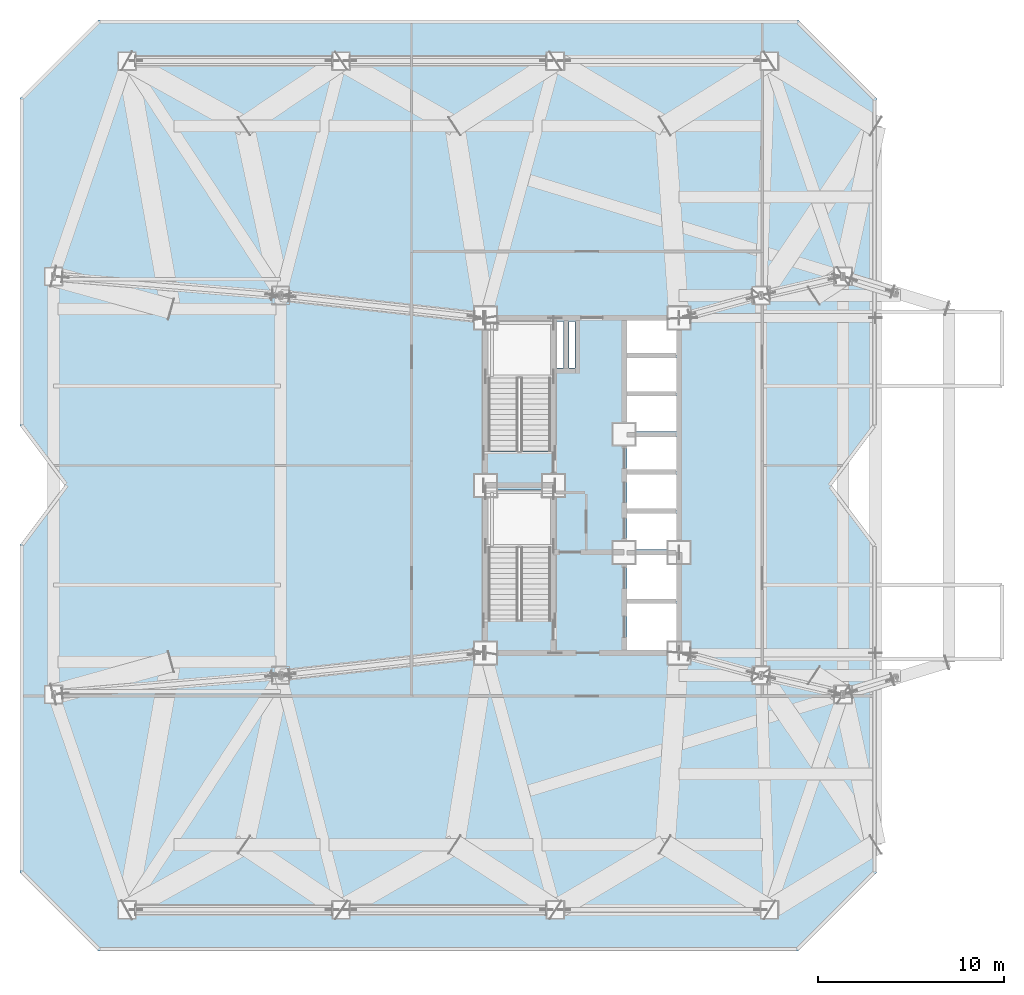
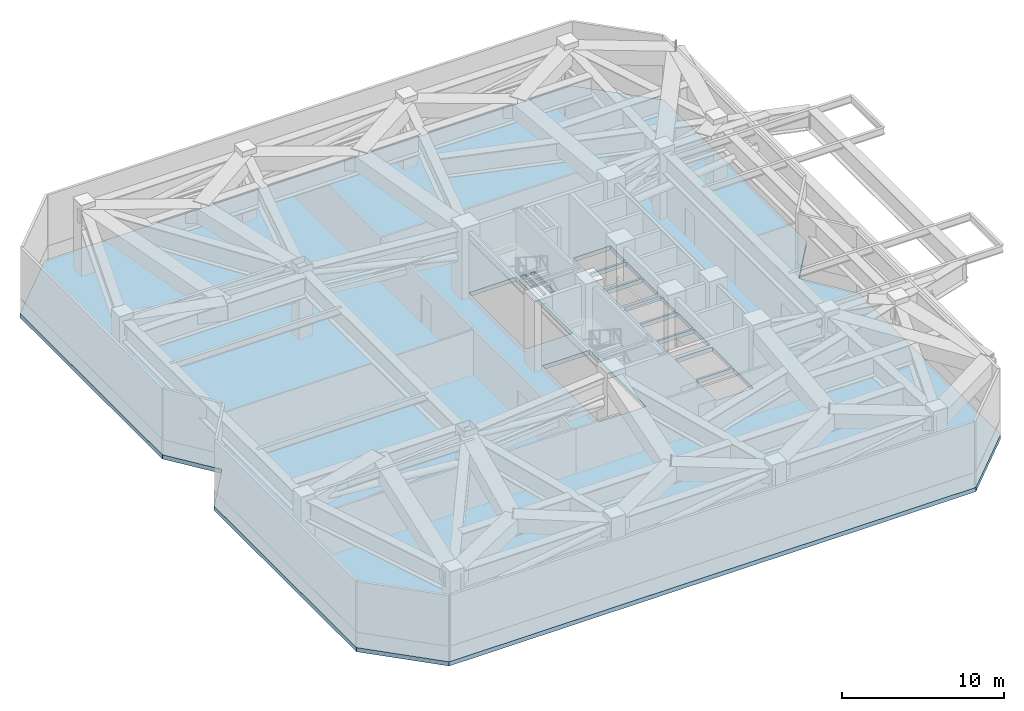
# One storey, part 7 of 18: 1 slab.
"""IFC4 building model written with IfcOpenShell, lengths in metres."""

from ifc_helpers import new_model, si_unit, direction, frame, origin, place, context, subcontext, project, spatial, polyline, outline, extrude, material, layer, layer_set, type_object, element, save


model = new_model("IFC4")

# Units and contexts
model_context = context("Model", 3, precision=1e-05, world=origin(), true_north=direction((0.0, 1.0)))
body_context = subcontext(model_context, "Body", "Model", "MODEL_VIEW")
ifc_project = project(units=[si_unit("LENGTHUNIT", "METRE"), si_unit("AREAUNIT", "SQUARE_METRE"), si_unit("VOLUMEUNIT", "CUBIC_METRE"), si_unit("PLANEANGLEUNIT", "RADIAN"), si_unit("MASSUNIT", "GRAM", prefix="KILO")], contexts=[model_context])

# Site, building, storey
site_placement = place(None, origin())
site = spatial("IfcSite", under=ifc_project, at=site_placement, CompositionType="ELEMENT")
building_placement = place(site_placement, origin())
building = spatial("IfcBuilding", under=site, at=building_placement, Name="Khamvora Tower", CompositionType="ELEMENT")
storey_placement = place(building_placement, frame((0.0, 0.0, 84.39990234375)))
storey = spatial("IfcBuildingStorey", under=building, at=storey_placement, Name="L21", CompositionType="ELEMENT", Elevation=84.39990234375)

# Slab
ifc_material = material(Name="Concrete C40/50", Category="concrete")
ifc_layer = layer(ifc_material, 0.320068359375)
ifc_layer_set = layer_set([ifc_layer], Name="Concrete C40/50")
slab_type = type_object("IfcSlabType", Name="SLB-TRN-320", PredefinedType="FLOOR", material=ifc_layer_set)
slab_placement = place(storey_placement, frame((0.0, 0.0, -0.31982421875)))
element("IfcSlab", 1, at=slab_placement, inside=storey, type_object=slab_type, Name="L21 structural floor slab", PredefinedType="FLOOR", context=body_context, shape_type="SweptSolid", body=[
    extrude(outline(polyline([(8.199951171875, 3.0), (45.800048828125, 3.0), (50.0, 7.199951171875), (50.0, 24.800048828125), (47.60009765625, 28.0), (50.0, 31.199951171875), (50.0, 48.800048828125), (45.800048828125, 53.0), (8.199951171875, 53.0), (4.0, 48.800048828125), (4.0, 31.199951171875), (6.39990234375, 28.0), (4.0, 24.800048828125), (4.0, 7.199951171875), (8.199951171875, 3.0)]), holes=[polyline([(32.5, 20.760009765625), (32.5, 27.75), (29.14990234375, 27.75), (29.14990234375, 20.760009765625), (32.5, 20.760009765625)]), polyline([(32.5, 29.860107421875), (32.5, 36.85009765625), (29.14990234375, 36.85009765625), (29.14990234375, 29.860107421875), (32.5, 29.860107421875)]), polyline([(36.60009765625, 19.14990234375), (39.25, 19.14990234375), (39.25, 21.64990234375), (36.60009765625, 21.64990234375), (36.60009765625, 19.14990234375)]), polyline([(36.60009765625, 21.800048828125), (39.25, 21.800048828125), (39.25, 24.25), (36.60009765625, 24.25), (36.60009765625, 21.800048828125)]), polyline([(36.60009765625, 24.550048828125), (39.25, 24.550048828125), (39.25, 26.5), (36.60009765625, 26.5), (36.60009765625, 24.550048828125)]), polyline([(36.60009765625, 26.64990234375), (39.25, 26.64990234375), (39.25, 28.60009765625), (36.60009765625, 28.60009765625), (36.60009765625, 26.64990234375)]), polyline([(36.60009765625, 28.75), (39.25, 28.75), (39.25, 30.60009765625), (36.60009765625, 30.60009765625), (36.60009765625, 28.75)]), polyline([(36.60009765625, 30.89990234375), (39.25, 30.89990234375), (39.25, 32.800048828125), (36.60009765625, 32.800048828125), (36.60009765625, 30.89990234375)]), polyline([(36.60009765625, 32.949951171875), (39.25, 32.949951171875), (39.25, 34.85009765625), (36.60009765625, 34.85009765625), (36.60009765625, 32.949951171875)]), polyline([(36.60009765625, 35.0), (39.25, 35.0), (39.25, 36.85009765625), (36.60009765625, 36.85009765625), (36.60009765625, 35.0)]), polyline([(32.800048828125, 34.300048828125), (33.199951171875, 34.300048828125), (33.199951171875, 36.800048828125), (32.800048828125, 36.800048828125), (32.800048828125, 34.300048828125)]), polyline([(33.47998046875, 34.300048828125), (33.820068359375, 34.300048828125), (33.820068359375, 36.800048828125), (33.47998046875, 36.800048828125), (33.47998046875, 34.300048828125)])]), origin(), (0.0, 0.0, 1.0), 0.31982421875),
])

save(model, "model.ifc")
